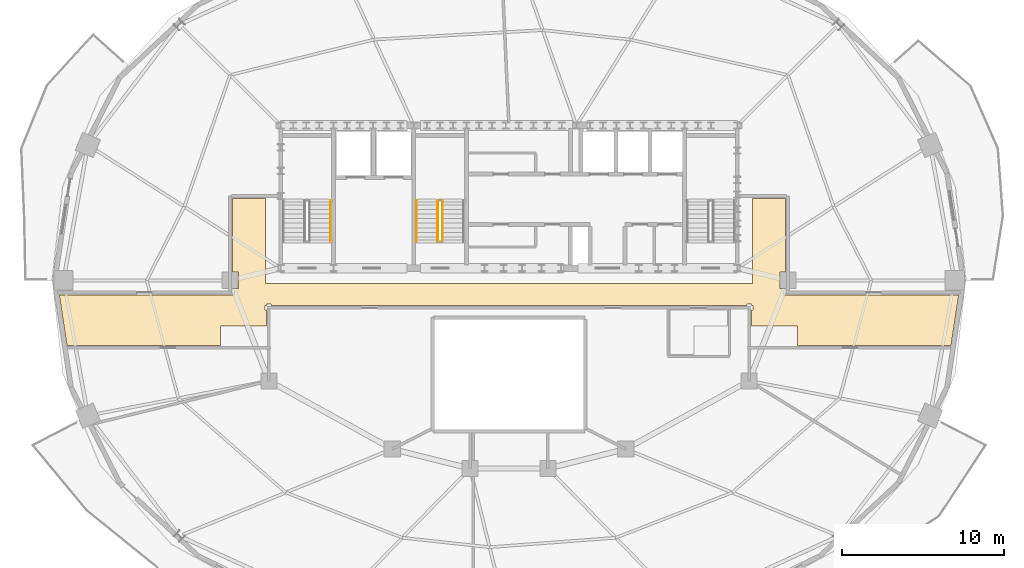
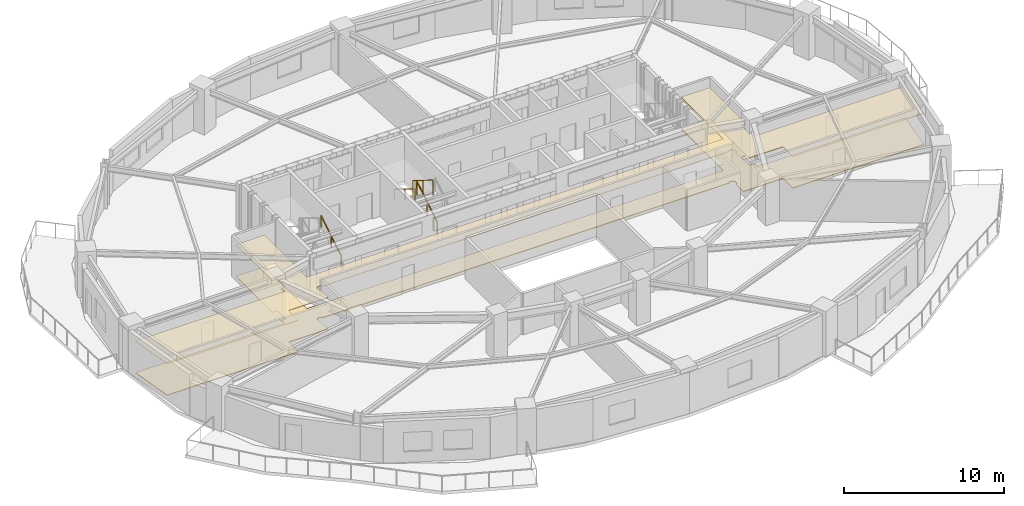
# One storey, part 9 of 11: 4 railings, 2 coverings.
"""IFC4 building model written with IfcOpenShell, lengths in metres."""

from ifc_helpers import new_model, si_unit, direction, frame, origin, origin_2d, place, context, subcontext, project, spatial, polyline, rectangle, outline, extrude, material, layer, layer_set, type_object, element, save


model = new_model("IFC4")

# Units and contexts
model_context = context("Model", 3, precision=1e-05, world=origin(), true_north=direction((0.0, 1.0)))
body_context = subcontext(model_context, "Body", "Model", "MODEL_VIEW")
ifc_project = project(units=[si_unit("LENGTHUNIT", "METRE"), si_unit("AREAUNIT", "SQUARE_METRE"), si_unit("VOLUMEUNIT", "CUBIC_METRE"), si_unit("PLANEANGLEUNIT", "RADIAN"), si_unit("MASSUNIT", "GRAM", prefix="KILO")], contexts=[model_context])

# Site, building, storey
site_placement = place(None, origin())
site = spatial("IfcSite", under=ifc_project, at=site_placement, CompositionType="ELEMENT")
building_placement = place(site_placement, origin())
building = spatial("IfcBuilding", under=site, at=building_placement, Name="Haldorwick Loom Tower", CompositionType="ELEMENT")
storey_placement = place(building_placement, frame((0.0, 0.0, 218.64990234375)))
storey = spatial("IfcBuildingStorey", under=building, at=storey_placement, Name="L59", CompositionType="ELEMENT", Elevation=218.64990234375)

# Coverings
ifc_material_1 = material(Name="Mineral Fibre Acoustic Ceiling Tile")
ifc_layer_1 = layer(ifc_material_1, 0.054931640625, Name="Mineral Fibre Acoustic Ceiling Tile")
ifc_layer_set_1 = layer_set([ifc_layer_1], Name="Mineral Fibre Acoustic Ceiling Tile")
covering_type_1 = type_object("IfcCoveringType", Name="ARC-COV-CEIL2", PredefinedType="CEILING", material=ifc_layer_set_1)
covering_1_placement = place(storey_placement, frame((0.0, 0.0, 2.399169921875)))
element("IfcCovering", 1, at=covering_1_placement, inside=storey, type_object=covering_type_1, Name="L59 Acoustic Suspended Ceiling 1", PredefinedType="CEILING", context=body_context, shape_type="SweptSolid", body=[
    extrude(outline(polyline([(8.750732421875, 21.989990234375), (18.199951171875, 21.989990234375), (18.199951171875, 23.199951171875), (21.06005859375, 23.199951171875), (21.06005859375, 24.159912109375), (20.97998046875, 24.159912109375), (20.97802734375, 24.16015625), (20.97607421875, 24.160400390625), (20.97412109375, 24.160888671875), (20.972412109375, 24.16162109375), (20.970703125, 24.162353515625), (20.968994140625, 24.163330078125), (20.96728515625, 24.16455078125), (20.9658203125, 24.166015625), (20.964599609375, 24.167236328125), (20.96337890625, 24.1689453125), (20.96240234375, 24.170654296875), (20.96142578125, 24.17236328125), (20.9609375, 24.17431640625), (20.96044921875, 24.176025390625), (20.960205078125, 24.177978515625), (20.9599609375, 24.179931640625), (20.9599609375, 24.419921875), (20.960205078125, 24.422119140625), (20.96044921875, 24.423828125), (20.9609375, 24.42578125), (20.96142578125, 24.427734375), (20.96240234375, 24.429443359375), (20.96337890625, 24.43115234375), (20.964599609375, 24.4326171875), (20.9658203125, 24.43408203125), (20.96728515625, 24.435546875), (20.968994140625, 24.4365234375), (20.970703125, 24.4375), (20.972412109375, 24.4384765625), (20.97412109375, 24.439208984375), (20.97607421875, 24.439697265625), (20.97802734375, 24.43994140625), (20.97998046875, 24.43994140625), (21.06005859375, 24.43994140625), (21.06005859375, 24.52001953125), (21.06005859375, 24.52197265625), (21.060302734375, 24.52392578125), (21.060791015625, 24.52587890625), (21.0615234375, 24.527587890625), (21.0625, 24.529296875), (21.0634765625, 24.531005859375), (21.064453125, 24.53271484375), (21.06591796875, 24.5341796875), (21.0673828125, 24.535400390625), (21.06884765625, 24.53662109375), (21.070556640625, 24.53759765625), (21.072265625, 24.53857421875), (21.07421875, 24.5390625), (21.076171875, 24.53955078125), (21.077880859375, 24.539794921875), (21.080078125, 24.5400390625), (21.320068359375, 24.5400390625), (21.322021484375, 24.539794921875), (21.323974609375, 24.53955078125), (21.32568359375, 24.5390625), (21.32763671875, 24.53857421875), (21.329345703125, 24.53759765625), (21.3310546875, 24.53662109375), (21.332763671875, 24.535400390625), (21.333984375, 24.5341796875), (21.33544921875, 24.53271484375), (21.336669921875, 24.531005859375), (21.337646484375, 24.529296875), (21.33837890625, 24.527587890625), (21.339111328125, 24.52587890625), (21.339599609375, 24.52392578125), (21.33984375, 24.52197265625), (21.340087890625, 24.52001953125), (21.340087890625, 24.43994140625), (50.659912109375, 24.43994140625), (50.659912109375, 24.52001953125), (50.66015625, 24.52197265625), (50.660400390625, 24.52392578125), (50.660888671875, 24.52587890625), (50.66162109375, 24.527587890625), (50.662353515625, 24.529296875), (50.663330078125, 24.531005859375), (50.66455078125, 24.53271484375), (50.666015625, 24.5341796875), (50.667236328125, 24.535400390625), (50.6689453125, 24.53662109375), (50.670654296875, 24.53759765625), (50.67236328125, 24.53857421875), (50.67431640625, 24.5390625), (50.676025390625, 24.53955078125), (50.677978515625, 24.539794921875), (50.679931640625, 24.5400390625), (50.919921875, 24.5400390625), (50.922119140625, 24.539794921875), (50.923828125, 24.53955078125), (50.92578125, 24.5390625), (50.927734375, 24.53857421875), (50.929443359375, 24.53759765625), (50.93115234375, 24.53662109375), (50.9326171875, 24.535400390625), (50.93408203125, 24.5341796875), (50.935546875, 24.53271484375), (50.9365234375, 24.531005859375), (50.9375, 24.529296875), (50.9384765625, 24.527587890625), (50.939208984375, 24.52587890625), (50.939697265625, 24.52392578125), (50.93994140625, 24.52197265625), (50.93994140625, 24.52001953125), (50.93994140625, 24.43994140625), (51.02001953125, 24.43994140625), (51.02197265625, 24.43994140625), (51.02392578125, 24.439697265625), (51.02587890625, 24.439208984375), (51.027587890625, 24.4384765625), (51.029296875, 24.4375), (51.031005859375, 24.4365234375), (51.03271484375, 24.435546875), (51.0341796875, 24.43408203125), (51.035400390625, 24.4326171875), (51.03662109375, 24.43115234375), (51.03759765625, 24.429443359375), (51.03857421875, 24.427734375), (51.0390625, 24.42578125), (51.03955078125, 24.423828125), (51.039794921875, 24.422119140625), (51.0400390625, 24.419921875), (51.0400390625, 24.179931640625), (51.039794921875, 24.177978515625), (51.03955078125, 24.176025390625), (51.0390625, 24.17431640625), (51.03857421875, 24.17236328125), (51.03759765625, 24.170654296875), (51.03662109375, 24.1689453125), (51.035400390625, 24.167236328125), (51.0341796875, 24.166015625), (51.03271484375, 24.16455078125), (51.031005859375, 24.163330078125), (51.029296875, 24.162353515625), (51.027587890625, 24.16162109375), (51.02587890625, 24.160888671875), (51.02392578125, 24.160400390625), (51.02197265625, 24.16015625), (51.02001953125, 24.159912109375), (50.93994140625, 24.159912109375), (50.93994140625, 23.199951171875), (53.800048828125, 23.199951171875), (53.800048828125, 21.989990234375), (63.249267578125, 21.989990234375), (63.72412109375, 25.110107421875), (52.97998046875, 25.110107421875), (52.97802734375, 25.110107421875), (52.97607421875, 25.1103515625), (52.97412109375, 25.11083984375), (52.972412109375, 25.111572265625), (52.970703125, 25.1123046875), (52.968994140625, 25.11328125), (52.96728515625, 25.114501953125), (52.9658203125, 25.115966796875), (52.964599609375, 25.1171875), (52.96337890625, 25.118896484375), (52.96240234375, 25.12060546875), (52.96142578125, 25.122314453125), (52.9609375, 25.124267578125), (52.96044921875, 25.126220703125), (52.960205078125, 25.1279296875), (52.9599609375, 25.1298828125), (52.9599609375, 25.3701171875), (52.960205078125, 25.3720703125), (52.96044921875, 25.373779296875), (52.9609375, 25.375732421875), (52.96142578125, 25.377685546875), (52.96240234375, 25.37939453125), (52.96337890625, 25.381103515625), (52.964599609375, 25.3828125), (52.9658203125, 25.384033203125), (52.96728515625, 25.385498046875), (52.968994140625, 25.38671875), (52.970703125, 25.3876953125), (52.972412109375, 25.388427734375), (52.97412109375, 25.38916015625), (52.97607421875, 25.3896484375), (52.97802734375, 25.389892578125), (52.97998046875, 25.389892578125), (53.06005859375, 25.389892578125), (53.06005859375, 25.491943359375), (52.69189453125, 25.491943359375), (52.69189453125, 26.508056640625), (53.06005859375, 26.508056640625), (53.06005859375, 31.06005859375), (51.0, 31.06005859375), (51.0, 25.800048828125), (21.0, 25.800048828125), (21.0, 31.06005859375), (18.93994140625, 31.06005859375), (18.93994140625, 26.508056640625), (19.30810546875, 26.508056640625), (19.30810546875, 25.491943359375), (18.93994140625, 25.491943359375), (18.93994140625, 25.389892578125), (19.02001953125, 25.389892578125), (19.02197265625, 25.389892578125), (19.02392578125, 25.3896484375), (19.02587890625, 25.38916015625), (19.027587890625, 25.388427734375), (19.029296875, 25.3876953125), (19.031005859375, 25.38671875), (19.03271484375, 25.385498046875), (19.0341796875, 25.384033203125), (19.035400390625, 25.3828125), (19.03662109375, 25.381103515625), (19.03759765625, 25.37939453125), (19.03857421875, 25.377685546875), (19.0390625, 25.375732421875), (19.03955078125, 25.373779296875), (19.039794921875, 25.3720703125), (19.0400390625, 25.3701171875), (19.0400390625, 25.1298828125), (19.039794921875, 25.1279296875), (19.03955078125, 25.126220703125), (19.0390625, 25.124267578125), (19.03857421875, 25.122314453125), (19.03759765625, 25.12060546875), (19.03662109375, 25.118896484375), (19.035400390625, 25.1171875), (19.0341796875, 25.115966796875), (19.03271484375, 25.114501953125), (19.031005859375, 25.11328125), (19.029296875, 25.1123046875), (19.027587890625, 25.111572265625), (19.02587890625, 25.11083984375), (19.02392578125, 25.1103515625), (19.02197265625, 25.110107421875), (19.02001953125, 25.110107421875), (8.27587890625, 25.110107421875), (8.750732421875, 21.989990234375)])), origin(), (0.0, 0.0, 1.0), 0.054931640625),
])
ifc_material_2 = material(Name="Polished Aggregate Terrazzo Finish")
ifc_layer_2 = layer(ifc_material_2, 0.044921875, Name="Polished Aggregate Terrazzo Finish")
ifc_layer_set_2 = layer_set([ifc_layer_2], Name="Polished Aggregate Terrazzo Finish")
covering_type_2 = type_object("IfcCoveringType", Name="ARC-COV-FLOOR2", PredefinedType="FLOORING", material=ifc_layer_set_2)
covering_2_placement = place(storey_placement, origin())
element("IfcCovering", 2, at=covering_2_placement, inside=storey, type_object=covering_type_2, Name="L59 Floor Finish 1", PredefinedType="FLOORING", context=body_context, shape_type="SweptSolid", body=[
    extrude(outline(polyline([(8.750732421875, 21.989990234375), (18.199951171875, 21.989990234375), (18.199951171875, 23.199951171875), (21.06005859375, 23.199951171875), (21.06005859375, 24.159912109375), (20.97998046875, 24.159912109375), (20.97802734375, 24.16015625), (20.97607421875, 24.160400390625), (20.97412109375, 24.160888671875), (20.972412109375, 24.16162109375), (20.970703125, 24.162353515625), (20.968994140625, 24.163330078125), (20.96728515625, 24.16455078125), (20.9658203125, 24.166015625), (20.964599609375, 24.167236328125), (20.96337890625, 24.1689453125), (20.96240234375, 24.170654296875), (20.96142578125, 24.17236328125), (20.9609375, 24.17431640625), (20.96044921875, 24.176025390625), (20.960205078125, 24.177978515625), (20.9599609375, 24.179931640625), (20.9599609375, 24.419921875), (20.960205078125, 24.422119140625), (20.96044921875, 24.423828125), (20.9609375, 24.42578125), (20.96142578125, 24.427734375), (20.96240234375, 24.429443359375), (20.96337890625, 24.43115234375), (20.964599609375, 24.4326171875), (20.9658203125, 24.43408203125), (20.96728515625, 24.435546875), (20.968994140625, 24.4365234375), (20.970703125, 24.4375), (20.972412109375, 24.4384765625), (20.97412109375, 24.439208984375), (20.97607421875, 24.439697265625), (20.97802734375, 24.43994140625), (20.97998046875, 24.43994140625), (21.06005859375, 24.43994140625), (21.06005859375, 24.52001953125), (21.06005859375, 24.52197265625), (21.060302734375, 24.52392578125), (21.060791015625, 24.52587890625), (21.0615234375, 24.527587890625), (21.0625, 24.529296875), (21.0634765625, 24.531005859375), (21.064453125, 24.53271484375), (21.06591796875, 24.5341796875), (21.0673828125, 24.535400390625), (21.06884765625, 24.53662109375), (21.070556640625, 24.53759765625), (21.072265625, 24.53857421875), (21.07421875, 24.5390625), (21.076171875, 24.53955078125), (21.077880859375, 24.539794921875), (21.080078125, 24.5400390625), (21.320068359375, 24.5400390625), (21.322021484375, 24.539794921875), (21.323974609375, 24.53955078125), (21.32568359375, 24.5390625), (21.32763671875, 24.53857421875), (21.329345703125, 24.53759765625), (21.3310546875, 24.53662109375), (21.332763671875, 24.535400390625), (21.333984375, 24.5341796875), (21.33544921875, 24.53271484375), (21.336669921875, 24.531005859375), (21.337646484375, 24.529296875), (21.33837890625, 24.527587890625), (21.339111328125, 24.52587890625), (21.339599609375, 24.52392578125), (21.33984375, 24.52197265625), (21.340087890625, 24.52001953125), (21.340087890625, 24.43994140625), (50.659912109375, 24.43994140625), (50.659912109375, 24.52001953125), (50.66015625, 24.52197265625), (50.660400390625, 24.52392578125), (50.660888671875, 24.52587890625), (50.66162109375, 24.527587890625), (50.662353515625, 24.529296875), (50.663330078125, 24.531005859375), (50.66455078125, 24.53271484375), (50.666015625, 24.5341796875), (50.667236328125, 24.535400390625), (50.6689453125, 24.53662109375), (50.670654296875, 24.53759765625), (50.67236328125, 24.53857421875), (50.67431640625, 24.5390625), (50.676025390625, 24.53955078125), (50.677978515625, 24.539794921875), (50.679931640625, 24.5400390625), (50.919921875, 24.5400390625), (50.922119140625, 24.539794921875), (50.923828125, 24.53955078125), (50.92578125, 24.5390625), (50.927734375, 24.53857421875), (50.929443359375, 24.53759765625), (50.93115234375, 24.53662109375), (50.9326171875, 24.535400390625), (50.93408203125, 24.5341796875), (50.935546875, 24.53271484375), (50.9365234375, 24.531005859375), (50.9375, 24.529296875), (50.9384765625, 24.527587890625), (50.939208984375, 24.52587890625), (50.939697265625, 24.52392578125), (50.93994140625, 24.52197265625), (50.93994140625, 24.52001953125), (50.93994140625, 24.43994140625), (51.02001953125, 24.43994140625), (51.02197265625, 24.43994140625), (51.02392578125, 24.439697265625), (51.02587890625, 24.439208984375), (51.027587890625, 24.4384765625), (51.029296875, 24.4375), (51.031005859375, 24.4365234375), (51.03271484375, 24.435546875), (51.0341796875, 24.43408203125), (51.035400390625, 24.4326171875), (51.03662109375, 24.43115234375), (51.03759765625, 24.429443359375), (51.03857421875, 24.427734375), (51.0390625, 24.42578125), (51.03955078125, 24.423828125), (51.039794921875, 24.422119140625), (51.0400390625, 24.419921875), (51.0400390625, 24.179931640625), (51.039794921875, 24.177978515625), (51.03955078125, 24.176025390625), (51.0390625, 24.17431640625), (51.03857421875, 24.17236328125), (51.03759765625, 24.170654296875), (51.03662109375, 24.1689453125), (51.035400390625, 24.167236328125), (51.0341796875, 24.166015625), (51.03271484375, 24.16455078125), (51.031005859375, 24.163330078125), (51.029296875, 24.162353515625), (51.027587890625, 24.16162109375), (51.02587890625, 24.160888671875), (51.02392578125, 24.160400390625), (51.02197265625, 24.16015625), (51.02001953125, 24.159912109375), (50.93994140625, 24.159912109375), (50.93994140625, 23.199951171875), (53.800048828125, 23.199951171875), (53.800048828125, 21.989990234375), (63.249267578125, 21.989990234375), (63.72412109375, 25.110107421875), (52.97998046875, 25.110107421875), (52.97802734375, 25.110107421875), (52.97607421875, 25.1103515625), (52.97412109375, 25.11083984375), (52.972412109375, 25.111572265625), (52.970703125, 25.1123046875), (52.968994140625, 25.11328125), (52.96728515625, 25.114501953125), (52.9658203125, 25.115966796875), (52.964599609375, 25.1171875), (52.96337890625, 25.118896484375), (52.96240234375, 25.12060546875), (52.96142578125, 25.122314453125), (52.9609375, 25.124267578125), (52.96044921875, 25.126220703125), (52.960205078125, 25.1279296875), (52.9599609375, 25.1298828125), (52.9599609375, 25.3701171875), (52.960205078125, 25.3720703125), (52.96044921875, 25.373779296875), (52.9609375, 25.375732421875), (52.96142578125, 25.377685546875), (52.96240234375, 25.37939453125), (52.96337890625, 25.381103515625), (52.964599609375, 25.3828125), (52.9658203125, 25.384033203125), (52.96728515625, 25.385498046875), (52.968994140625, 25.38671875), (52.970703125, 25.3876953125), (52.972412109375, 25.388427734375), (52.97412109375, 25.38916015625), (52.97607421875, 25.3896484375), (52.97802734375, 25.389892578125), (52.97998046875, 25.389892578125), (53.06005859375, 25.389892578125), (53.06005859375, 25.491943359375), (52.69189453125, 25.491943359375), (52.69189453125, 26.508056640625), (53.06005859375, 26.508056640625), (53.06005859375, 31.06005859375), (51.0, 31.06005859375), (51.0, 25.800048828125), (21.0, 25.800048828125), (21.0, 31.06005859375), (18.93994140625, 31.06005859375), (18.93994140625, 26.508056640625), (19.30810546875, 26.508056640625), (19.30810546875, 25.491943359375), (18.93994140625, 25.491943359375), (18.93994140625, 25.389892578125), (19.02001953125, 25.389892578125), (19.02197265625, 25.389892578125), (19.02392578125, 25.3896484375), (19.02587890625, 25.38916015625), (19.027587890625, 25.388427734375), (19.029296875, 25.3876953125), (19.031005859375, 25.38671875), (19.03271484375, 25.385498046875), (19.0341796875, 25.384033203125), (19.035400390625, 25.3828125), (19.03662109375, 25.381103515625), (19.03759765625, 25.37939453125), (19.03857421875, 25.377685546875), (19.0390625, 25.375732421875), (19.03955078125, 25.373779296875), (19.039794921875, 25.3720703125), (19.0400390625, 25.3701171875), (19.0400390625, 25.1298828125), (19.039794921875, 25.1279296875), (19.03955078125, 25.126220703125), (19.0390625, 25.124267578125), (19.03857421875, 25.122314453125), (19.03759765625, 25.12060546875), (19.03662109375, 25.118896484375), (19.035400390625, 25.1171875), (19.0341796875, 25.115966796875), (19.03271484375, 25.114501953125), (19.031005859375, 25.11328125), (19.029296875, 25.1123046875), (19.027587890625, 25.111572265625), (19.02587890625, 25.11083984375), (19.02392578125, 25.1103515625), (19.02197265625, 25.110107421875), (19.02001953125, 25.110107421875), (8.27587890625, 25.110107421875), (8.750732421875, 21.989990234375)])), origin(), (0.0, 0.0, 1.0), 0.045166015625),
])

# Railings
ifc_material_3 = material(Name="Steel CSA G40.21 350W", Category="steel")
railing_type_1 = type_object("IfcRailingType", Name="ARC-RLG-GUARD112", PredefinedType="GUARDRAIL", material=ifc_material_3)
railing_1_placement = place(storey_placement, frame((31.89990234375, 28.39990234375, 0.172607421875)))
element("IfcRailing", 3, at=railing_1_placement, inside=storey, type_object=railing_type_1, Name="L59 ST-03 stair guard 1", PredefinedType="GUARDRAIL", context=body_context, shape_type="SweptSolid", body=[
    extrude(rectangle(XDim=0.048095703125, YDim=0.048095703125, at=origin_2d()), frame((0.0, 0.0, 1.076171875), z_axis=(0.0, 0.851400495292, 0.524516154772), x_axis=(-1.0, 0.0, 0.0)), (0.0, 0.0, 1.0), 2.9599609375),
    extrude(rectangle(XDim=0.0419921875, YDim=0.0419921875, at=origin_2d()), origin(), (0.0, 0.0, 1.0), 1.052001953125),
    extrude(rectangle(XDim=0.0419921875, YDim=0.0419921875, at=origin_2d()), frame((0.0, 1.260009765625, 0.7763671875)), (0.0, 0.0, 1.0), 1.052001953125),
    extrude(rectangle(XDim=0.0419921875, YDim=0.0419921875, at=origin_2d()), frame((0.0, 2.52001953125, 1.552490234375)), (0.0, 0.0, 1.0), 1.052001953125),
])
railing_2_placement = place(storey_placement, frame((31.60009765625, 30.919921875, 1.897705078125)))
element("IfcRailing", 4, at=railing_2_placement, inside=storey, type_object=railing_type_1, Name="L59 ST-03 stair guard 3", PredefinedType="GUARDRAIL", context=body_context, shape_type="SweptSolid", body=[
    extrude(rectangle(XDim=0.048095703125, YDim=0.048095703125, at=origin_2d()), frame((0.0, 0.0, 1.076171875), z_axis=(0.0, -0.851400495292, 0.524516154772), x_axis=(1.0, 0.0, 0.0)), (0.0, 0.0, 1.0), 2.9599609375),
    extrude(rectangle(XDim=0.0419921875, YDim=0.0419921875, at=origin_2d()), origin(), (0.0, 0.0, 1.0), 1.052001953125),
    extrude(rectangle(XDim=0.0419921875, YDim=0.0419921875, at=origin_2d()), frame((0.0, -1.260009765625, 0.7763671875)), (0.0, 0.0, 1.0), 1.052001953125),
    extrude(rectangle(XDim=0.0419921875, YDim=0.0419921875, at=origin_2d()), frame((0.0, -2.52001953125, 1.552490234375)), (0.0, 0.0, 1.0), 1.052001953125),
])
railing_type_2 = type_object("IfcRailingType", Name="ARC-RLG-HAND092", PredefinedType="HANDRAIL", material=ifc_material_3)
railing_3_placement = place(storey_placement, frame((25.0, 28.39990234375, 0.172607421875)))
element("IfcRailing", 5, at=railing_3_placement, inside=storey, type_object=railing_type_2, Name="L59 ST-01 stair handrail 1", PredefinedType="HANDRAIL", context=body_context, shape_type="SweptSolid", body=[
    extrude(rectangle(XDim=0.048095703125, YDim=0.048095703125, at=origin_2d()), frame((0.0, 0.0, 0.8759765625), z_axis=(0.0, 0.851400495292, 0.524516154772), x_axis=(-1.0, 0.0, 0.0)), (0.0, 0.0, 1.0), 2.9599609375),
    extrude(rectangle(XDim=0.0419921875, YDim=0.0419921875, at=origin_2d()), origin(), (0.0, 0.0, 1.0), 0.851806640625),
    extrude(rectangle(XDim=0.0419921875, YDim=0.0419921875, at=origin_2d()), frame((0.0, 1.260009765625, 0.7763671875)), (0.0, 0.0, 1.0), 0.851806640625),
    extrude(rectangle(XDim=0.0419921875, YDim=0.0419921875, at=origin_2d()), frame((0.0, 2.52001953125, 1.552490234375)), (0.0, 0.0, 1.0), 0.851806640625),
])
railing_4_placement = place(storey_placement, frame((30.300048828125, 30.919921875, 1.897705078125)))
element("IfcRailing", 6, at=railing_4_placement, inside=storey, type_object=railing_type_2, Name="L59 ST-03 stair handrail 2", PredefinedType="HANDRAIL", context=body_context, shape_type="SweptSolid", body=[
    extrude(rectangle(XDim=0.048095703125, YDim=0.048095703125, at=origin_2d()), frame((0.0, 0.0, 0.8759765625), z_axis=(0.0, -0.851400495292, 0.524516154772), x_axis=(1.0, 0.0, 0.0)), (0.0, 0.0, 1.0), 2.9599609375),
    extrude(rectangle(XDim=0.0419921875, YDim=0.0419921875, at=origin_2d()), origin(), (0.0, 0.0, 1.0), 0.851806640625),
    extrude(rectangle(XDim=0.0419921875, YDim=0.0419921875, at=origin_2d()), frame((0.0, -1.260009765625, 0.7763671875)), (0.0, 0.0, 1.0), 0.851806640625),
    extrude(rectangle(XDim=0.0419921875, YDim=0.0419921875, at=origin_2d()), frame((0.0, -2.52001953125, 1.552490234375)), (0.0, 0.0, 1.0), 0.851806640625),
])

save(model, "model.ifc")
